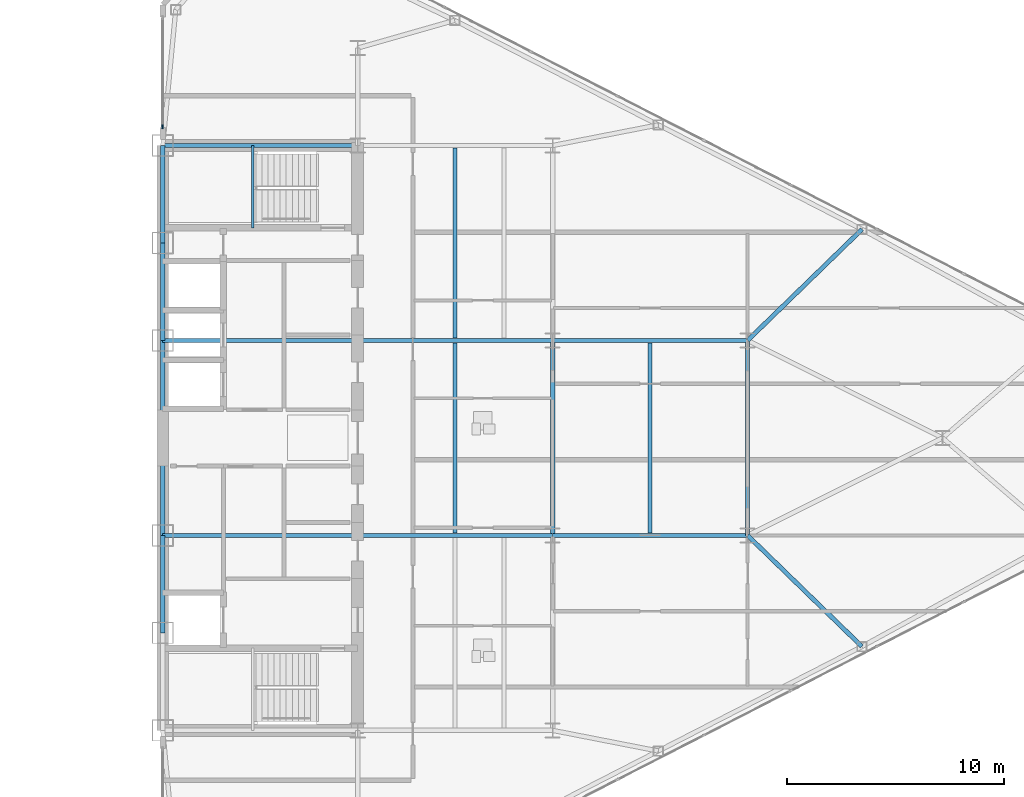
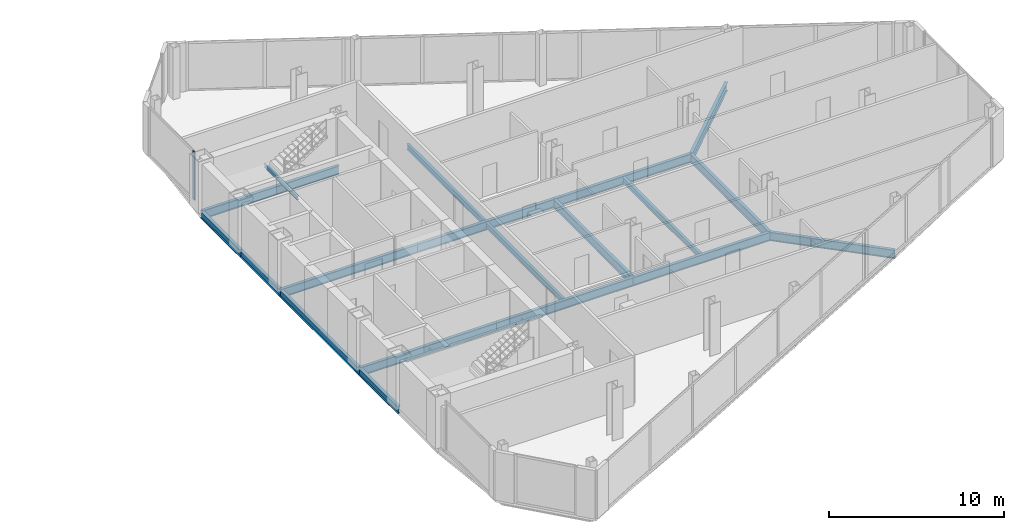
# One storey, part 10 of 23: 19 beams, 1 member, 1 element without a shape of its own.
"""IFC4 building model written with IfcOpenShell, lengths in metres."""

from ifc_helpers import new_model, si_unit, direction, frame, origin, origin_2d, place, context, subcontext, project, spatial, rectangle, i_section, extrude, source, transform, mapped, material, layer, layer_set, material_profile, profile_set, type_object, type_shapes, element, aggregate, save


model = new_model("IFC4")

# Units and contexts
model_context = context("Model", 3, precision=1e-05, world=origin(), true_north=direction((0.0, 1.0)))
body_context = subcontext(model_context, "Body", "Model", "MODEL_VIEW")
ifc_project = project(units=[si_unit("LENGTHUNIT", "METRE"), si_unit("AREAUNIT", "SQUARE_METRE"), si_unit("VOLUMEUNIT", "CUBIC_METRE"), si_unit("PLANEANGLEUNIT", "RADIAN"), si_unit("MASSUNIT", "GRAM", prefix="KILO")], contexts=[model_context])

# Site, building, storey
site_placement = place(None, origin())
site = spatial("IfcSite", under=ifc_project, at=site_placement, CompositionType="ELEMENT")
building_placement = place(site_placement, origin())
building = spatial("IfcBuilding", under=site, at=building_placement, Name="Seokmaru Belvedere", CompositionType="ELEMENT")
storey_placement = place(building_placement, frame((0.0, 0.0, 147.60009765625)))
storey = spatial("IfcBuildingStorey", under=building, at=storey_placement, Name="L39", CompositionType="ELEMENT", Elevation=147.60009765625)

# Beams
ifc_material_1 = material(Name="Steel SM355 (355 MPa)", Category="steel")
ifc_material_profile_1 = material_profile(ifc_material_1, i_section(OverallWidth=0.199951171875, OverallDepth=0.5, WebThickness=0.010009765625, FlangeThickness=0.01611328125, at=origin_2d()), Name="H-500x200x10x16")
ifc_profile_set_1 = profile_set([ifc_material_profile_1], Name="Steel SM355 (355 MPa)")
beam_type_1 = type_object("IfcBeamType", Name="Perimeter Spandrel Beam H-500", PredefinedType="SPANDREL", material=ifc_profile_set_1)
shared_shape_1 = source(origin(), body_context, "Body", "SweptSolid", [
    extrude(i_section(OverallWidth=0.199951171875, OverallDepth=0.5, WebThickness=0.010009765625, FlangeThickness=0.01611328125, at=origin_2d()), origin(), (0.0, 0.0, 1.0), 4.5),
])
for number, where, z_axis, x_axis, name in (
    (1, (27.5, -9.0, -0.47021484375), (0.0, 1.0, 0.0), (-1.0, 0.0, 0.0), "L39 E Portal Spine Spandrel 2"),
    (2, (27.5, 4.5, -0.47021484375), (0.0, 1.0, 0.0), (-1.0, 0.0, 0.0), "L39 E Portal Spine Spandrel 4"),
    (3, (27.5, 9.0, -0.47021484375), (0.0, 1.0, 0.0), (-1.0, 0.0, 0.0), "L39 E Portal Spine Spandrel 5"),
):
    element("IfcBeam", number, at=place(storey_placement, frame(where, z_axis=z_axis, x_axis=x_axis)), inside=storey, type_object=beam_type_1, Name=name, PredefinedType="SPANDREL", context=body_context, shape_type="MappedRepresentation", body=[
        mapped(shared_shape_1, transform((0.0, 0.0, 0.0), scale=1.0)),
    ])
shared_shape_2 = source(origin(), body_context, "Body", "SweptSolid", [
    extrude(i_section(OverallWidth=0.199951171875, OverallDepth=0.5, WebThickness=0.010009765625, FlangeThickness=0.01611328125, at=origin_2d()), origin(), (0.0, 0.0, 1.0), 9.0),
])
type_shapes(beam_type_1, [shared_shape_1, shared_shape_2])
beam_1_placement = place(storey_placement, frame((27.5, -4.5, -0.47021484375), z_axis=(0.0, 1.0, 0.0), x_axis=(-1.0, 0.0, 0.0)))
element("IfcBeam", 4, at=beam_1_placement, inside=storey, type_object=beam_type_1, Name="L39 E Portal Spine Spandrel 3", PredefinedType="SPANDREL", context=body_context, shape_type="MappedRepresentation", body=[
    mapped(shared_shape_2, transform((0.0, 0.0, 0.0), scale=1.0)),
])
ifc_material_profile_2 = material_profile(ifc_material_1, i_section(OverallWidth=0.199951171875, OverallDepth=0.60009765625, WebThickness=0.010986328125, FlangeThickness=0.01708984375, at=origin_2d()), Name="H-600x200x11x17")
ifc_profile_set_2 = profile_set([ifc_material_profile_2], Name="Steel SM355 (355 MPa)")
beam_type_2 = type_object("IfcBeamType", Name="Primary Floor Girder H-600", PredefinedType="BEAM", material=ifc_profile_set_2)
shared_shape_3 = source(origin(), body_context, "Body", "SweptSolid", [
    extrude(i_section(OverallWidth=0.199951171875, OverallDepth=0.60009765625, WebThickness=0.010986328125, FlangeThickness=0.01708984375, at=origin_2d()), origin(), (0.0, 0.0, 1.0), 9.0),
])
for number, where, z_axis, x_axis, name in (
    (5, (45.5, -4.5, -0.52001953125), (0.0, 1.0, 0.0), (-1.0, 0.0, 0.0), "L39 E Interior Grid Girder 2"),
    (6, (27.5, -4.5, -0.52001953125), (1.0, 0.0, 0.0), (0.0, 1.0, 0.0), "L39 E Core Tie Girder 2"),
    (7, (36.5, -4.5, -0.52001953125), (1.0, 0.0, 0.0), (0.0, 1.0, 0.0), "L39 E Wing Primary Girder 2"),
    (8, (27.5, 4.5, -0.52001953125), (1.0, 0.0, 0.0), (0.0, 1.0, 0.0), "L39 E Core Tie Girder 3"),
    (9, (36.5, 4.5, -0.52001953125), (1.0, 0.0, 0.0), (0.0, 1.0, 0.0), "L39 E Wing Primary Girder 3"),
    (10, (27.5, 13.5, -0.52001953125), (1.0, 0.0, 0.0), (0.0, 1.0, 0.0), "L39 E Core Tie Girder 4"),
    (11, (45.5, -4.5, -0.52001953125), (1.0, 0.0, 0.0), (0.0, 1.0, 0.0), "L39 E Outer Wing Girder 1"),
    (12, (45.5, 4.5, -0.52001953125), (1.0, 0.0, 0.0), (0.0, 1.0, 0.0), "L39 E Outer Wing Girder 2"),
    (13, (54.5, -4.5, -0.52001953125), (0.0, 1.0, 0.0), (-1.0, 0.0, 0.0), "L39 E Apex Frame Girder"),
):
    element("IfcBeam", number, at=place(storey_placement, frame(where, z_axis=z_axis, x_axis=x_axis)), inside=storey, type_object=beam_type_2, Name=name, PredefinedType="BEAM", context=body_context, shape_type="MappedRepresentation", body=[
        mapped(shared_shape_3, transform((0.0, 0.0, 0.0), scale=1.0)),
    ])
ifc_material_profile_3 = material_profile(ifc_material_1, i_section(OverallWidth=0.18505859375, OverallDepth=0.389892578125, WebThickness=0.008056640625, FlangeThickness=0.011962890625, at=origin_2d()), Name="H-390x185x8x12")
ifc_profile_set_3 = profile_set([ifc_material_profile_3], Name="Steel SM355 (355 MPa)")
beam_type_3 = type_object("IfcBeamType", Name="Secondary Floor Joist H-350", PredefinedType="JOIST", material=ifc_profile_set_3)
shared_shape_4 = source(origin(), body_context, "Body", "SweptSolid", [
    extrude(i_section(OverallWidth=0.18505859375, OverallDepth=0.389892578125, WebThickness=0.008056640625, FlangeThickness=0.011962890625, at=origin_2d()), origin(), (0.0, 0.0, 1.0), 8.7900390625),
])
type_shapes(beam_type_3, [shared_shape_4])
for number, where, z_axis, x_axis, name in (
    (14, (41.0, -4.39501953125, -0.4150390625), (0.0, 1.0, 0.0), (-1.0, 0.0, 0.0), "L39 E Secondary Floor Joist 2"),
    (15, (41.0, 4.60498046875, -0.4150390625), (0.0, 1.0, 0.0), (-1.0, 0.0, 0.0), "L39 E Secondary Floor Joist 3"),
    (16, (50.0, -4.39501953125, -0.4150390625), (0.0, 1.0, 0.0), (-1.0, 0.0, 0.0), "L39 E Outer Bay Secondary Joist"),
):
    element("IfcBeam", number, at=place(storey_placement, frame(where, z_axis=z_axis, x_axis=x_axis)), inside=storey, type_object=beam_type_3, Name=name, PredefinedType="JOIST", context=body_context, shape_type="MappedRepresentation", body=[
        mapped(shared_shape_4, transform((0.0, 0.0, 0.0), scale=1.0)),
    ])
shared_shape_5 = source(origin(), body_context, "Body", "SweptSolid", [
    extrude(i_section(OverallWidth=0.199951171875, OverallDepth=0.60009765625, WebThickness=0.010986328125, FlangeThickness=0.01708984375, at=origin_2d()), origin(), (0.0, 0.0, 1.0), 7.35986328125),
])
type_shapes(beam_type_2, [shared_shape_3, shared_shape_5])
for number, where, z_axis, x_axis, name in (
    (17, (59.778564453125, -9.62890625, -0.52001953125), (-0.717200745515, 0.696866623273, 0.0), (-0.696866623273, -0.717200745515, 0.0), "L39 E Flank Radial Floor Girder S-3"),
    (18, (59.778564453125, 9.62890625, -0.52001953125), (-0.717200745515, -0.696866623273, 0.0), (0.696866623273, -0.717200745515, 0.0), "L39 E Flank Radial Floor Girder N-3"),
):
    element("IfcBeam", number, at=place(storey_placement, frame(where, z_axis=z_axis, x_axis=x_axis)), inside=storey, type_object=beam_type_2, Name=name, PredefinedType="BEAM", context=body_context, shape_type="MappedRepresentation", body=[
        mapped(shared_shape_5, transform((0.0, 0.0, 0.0), scale=1.0)),
    ])

# Curtain wall, member
ifc_material_2 = material(Name="Bronze Triple Insulating Glass", Category="glass")
ifc_layer = layer(ifc_material_2, 0.195068359375)
ifc_layer_set = layer_set([ifc_layer], Name="Bronze Triple Insulating Glass")
curtain_wall_type = type_object("IfcCurtainWallType", Name="Sky-Lobby and Mid-Rise Curtain Wall System CW-4", PredefinedType="NOTDEFINED", material=ifc_layer_set)
curtain_wall_placement = place(storey_placement, origin())
curtain_wall = element("IfcCurtainWall", 19, at=curtain_wall_placement, inside=storey, type_object=curtain_wall_type, Name="L39 Curtain Wall ESP_2", PredefinedType="NOTDEFINED")
ifc_material_3 = material(Name="Anodised Bronze Aluminium", Category="aluminium")
ifc_material_profile_4 = material_profile(ifc_material_3, rectangle(XDim=0.070068359375, YDim=0.195068359375, at=origin_2d()), Name="CW-M-70x195")
ifc_profile_set_4 = profile_set([ifc_material_profile_4], Name="Anodised Bronze Aluminium")
member_type = type_object("IfcMemberType", Name="Bronze Unitised Mullion 70x195", PredefinedType="MULLION", material=ifc_profile_set_4)
shared_shape_6 = source(origin(), body_context, "Body", "SweptSolid", [
    extrude(rectangle(XDim=0.070068359375, YDim=0.195068359375, at=origin_2d()), origin(), (0.0, 0.0, 1.0), 3.3798828125),
])
type_shapes(member_type, [shared_shape_6])
member_placement = place(storey_placement, frame((27.5, 14.364990234375, 0.0), z_axis=(0.0, 0.0, 1.0), x_axis=(1.0, 0.0, 0.0)))
member = element("IfcMember", 20, at=member_placement, type_object=member_type, Name="CW:L39:ESP_2 Mullion 2", PredefinedType="MULLION", context=body_context, shape_type="MappedRepresentation", body=[
    mapped(shared_shape_6, transform((0.0, 0.0, 0.0), scale=1.0)),
])
aggregate(curtain_wall, [member])

# Beam
ifc_material_profile_5 = material_profile(ifc_material_1, i_section(OverallWidth=0.125, OverallDepth=0.25, WebThickness=0.006103515625, FlangeThickness=0.009033203125, at=origin_2d()), Name="H-250x125x6x9")
ifc_profile_set_5 = profile_set([ifc_material_profile_5], Name="Steel SM355 (355 MPa)")
beam_type_4 = type_object("IfcBeamType", Name="Stair Mid-Landing Support Beam H-250", PredefinedType="JOIST", material=ifc_profile_set_5)
shared_shape_7 = source(origin(), body_context, "Body", "SweptSolid", [
    extrude(i_section(OverallWidth=0.125, OverallDepth=0.25, WebThickness=0.006103515625, FlangeThickness=0.009033203125, at=origin_2d()), origin(), (0.0, 0.0, 1.0), 3.800048828125),
])
type_shapes(beam_type_4, [shared_shape_7])
beam_2_placement = place(storey_placement, frame((31.64990234375, 9.699951171875, 1.474853515625), z_axis=(0.0, 1.0, 0.0), x_axis=(-1.0, 0.0, 0.0)))
element("IfcBeam", 21, at=beam_2_placement, inside=storey, type_object=beam_type_4, Name="L39 Stair ST-E2 Mid-Landing Support Beam 1", PredefinedType="JOIST", context=body_context, shape_type="MappedRepresentation", body=[
    mapped(shared_shape_7, transform((0.0, 0.0, 0.0), scale=1.0)),
])

save(model, "model.ifc")
